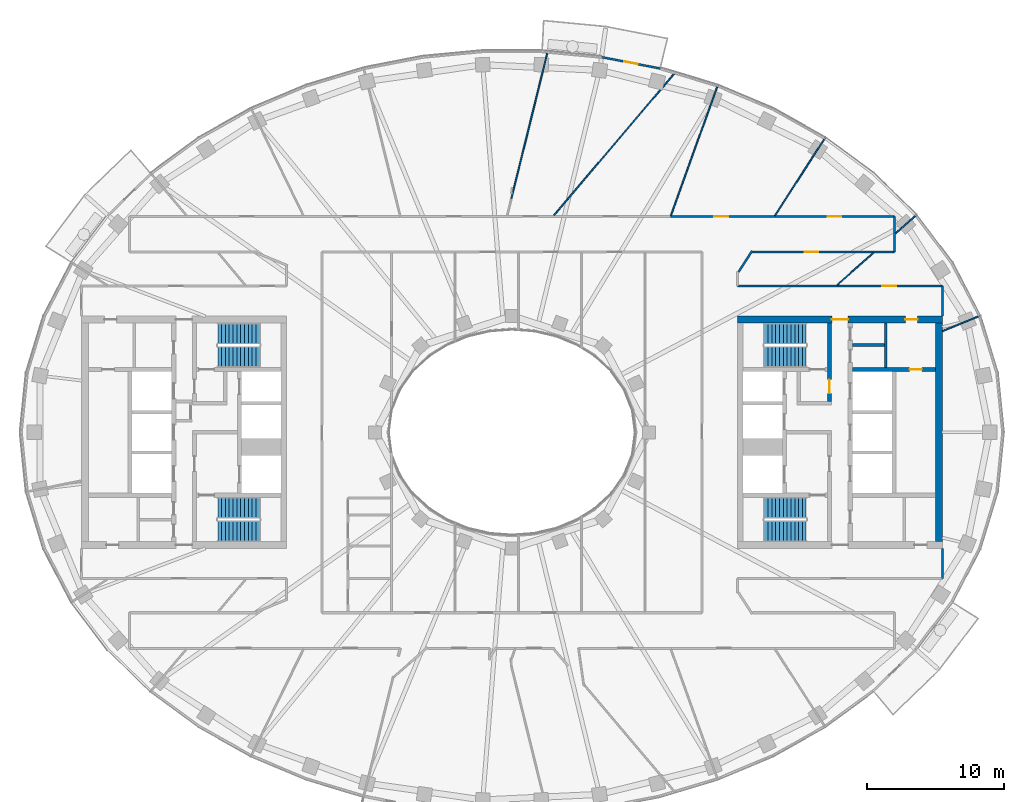
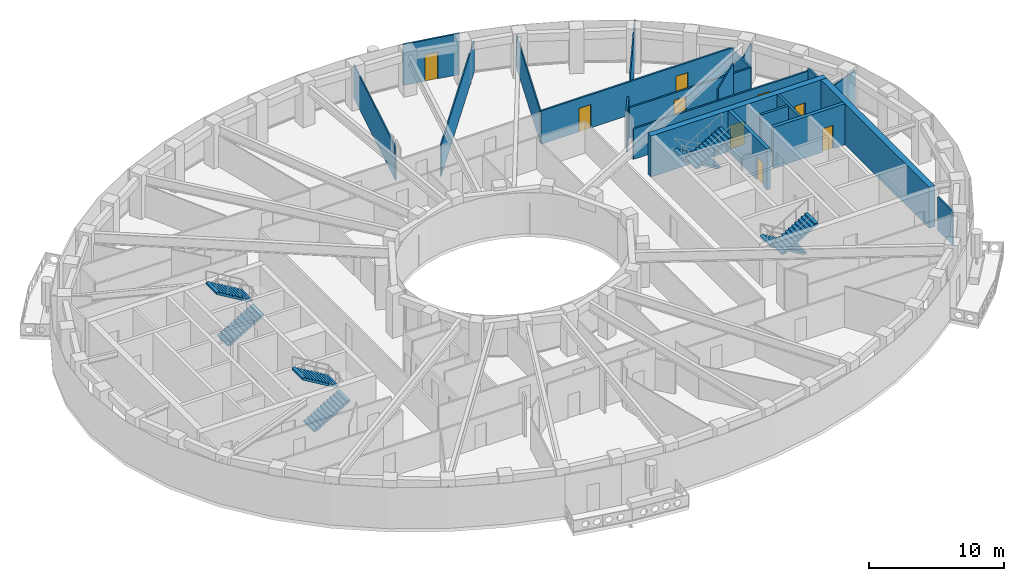
# One storey, part 7 of 16: 21 walls, 9 doors, 8 stair flights, 9 openings, 4 elements without a shape of their own.
"""IFC4 building model written with IfcOpenShell, lengths in metres."""

from ifc_helpers import new_model, si_unit, direction, frame, frame_2d, origin, place, context, subcontext, project, spatial, polyline, rectangle, outline, extrude, material, layer, layer_set, type_object, element, fill, aggregate, save


model = new_model("IFC4")

# Units and contexts
model_context = context("Model", 3, precision=1e-05, world=origin(), true_north=direction((0.0, 1.0)))
body_context = subcontext(model_context, "Body", "Model", "MODEL_VIEW")
ifc_project = project(units=[si_unit("LENGTHUNIT", "METRE"), si_unit("AREAUNIT", "SQUARE_METRE"), si_unit("VOLUMEUNIT", "CUBIC_METRE"), si_unit("PLANEANGLEUNIT", "RADIAN"), si_unit("MASSUNIT", "GRAM", prefix="KILO")], contexts=[model_context])

# Site, building, storey
site_placement = place(None, origin())
site = spatial("IfcSite", under=ifc_project, at=site_placement, CompositionType="ELEMENT")
building_placement = place(site_placement, origin())
building = spatial("IfcBuilding", under=site, at=building_placement, Name="Noorbagh Ring Tower", CompositionType="ELEMENT")
storey_placement = place(building_placement, frame((0.0, 0.0, 273.5)))
storey = spatial("IfcBuildingStorey", under=building, at=storey_placement, Name="L58", CompositionType="ELEMENT", Elevation=273.5)

# Walls
ifc_material_1 = material(Name="Gypsum board on steel studs", Category="steel")
ifc_layer_1 = layer(ifc_material_1, 0.199951171875)
ifc_layer_set_1 = layer_set([ifc_layer_1], Name="Gypsum board on steel studs")
wall_type_1 = type_object("IfcWallType", Name="CORE-PARTITION-200", PredefinedType="PARTITIONING", material=ifc_layer_set_1)
wall_1_placement = place(storey_placement, frame((27.35009765625, 4.75, 0.0), z_axis=(0.0, 0.0, 1.0), x_axis=(0.0, 1.0, 0.0)))
element("IfcWall", 1, at=wall_1_placement, inside=storey, type_object=wall_type_1, Name="Core partition E", PredefinedType="PARTITIONING", context=body_context, shape_type="SweptSolid", body=[
    extrude(rectangle(XDim=3.25, YDim=0.199951171875, at=frame_2d((1.625, 0.0))), origin(), (0.0, 0.0, 1.0), 3.699951171875),
])
wall_2_placement = place(storey_placement, frame((24.89990234375, 6.39990234375, 0.0), z_axis=(0.0, 0.0, 1.0), x_axis=(1.0, 0.0, 0.0)))
element("IfcWall", 2, at=wall_2_placement, inside=storey, type_object=wall_type_1, Name="Core partition E", PredefinedType="PARTITIONING", context=body_context, shape_type="SweptSolid", body=[
    extrude(rectangle(XDim=2.35009765625, YDim=0.199951171875, at=frame_2d((1.175048828125, 0.0))), origin(), (0.0, 0.0, 1.0), 3.699951171875),
])

# Wall, opening, door
ifc_material_2 = material(Name="Concrete C60/75", Category="concrete")
ifc_layer_2 = layer(ifc_material_2, 0.300048828125)
ifc_layer_set_2 = layer_set([ifc_layer_2], Name="Concrete C60/75")
wall_type_2 = type_object("IfcWallType", Name="CORE-WALL-300-C60-75-EI240", PredefinedType="SHEAR", material=ifc_layer_set_2)
wall_3_placement = place(storey_placement, frame((24.89990234375, 4.60009765625, 0.0), z_axis=(0.0, 0.0, 1.0), x_axis=(1.0, 0.0, 0.0)))
wall_3 = element("IfcWall", 3, at=wall_3_placement, inside=storey, type_object=wall_type_2, Name="Core wall E", PredefinedType="SHEAR", context=body_context, shape_type="SweptSolid", body=[
    extrude(rectangle(XDim=6.10009765625, YDim=0.300048828125, at=frame_2d((3.050048828125, 0.0))), origin(), (0.0, 0.0, 1.0), 3.699951171875),
])
opening_1_placement = place(wall_3_placement, frame((4.199951171875, 0.0, 0.0)))
opening_1 = element("IfcOpeningElement", 4, at=opening_1_placement, cuts=wall_3, Name="Opening L58-CE18", PredefinedType="OPENING", context=body_context, shape_type="SweptSolid", body=[
    extrude(rectangle(XDim=0.89990234375, YDim=2.10009765625, at=frame_2d((0.449951171875, 1.050048828125))), frame((0.0, 0.16015625, 0.0), z_axis=(0.0, -1.0, 0.0), x_axis=(1.0, 0.0, 0.0)), (0.0, 0.0, 1.0), 0.320068359375),
])
ifc_material_3 = material(Name="Steel door leaf", Category="steel")
door_type_1 = type_object("IfcDoorType", Name="CORE-DOOR-DROOM", OperationType="SINGLE_SWING_LEFT", PredefinedType="DOOR", material=ifc_material_3)
door_1_placement = place(opening_1_placement, origin())
door_1 = element("IfcDoor", 5, at=door_1_placement, inside=storey, type_object=door_type_1, Name="Core room door L58-CE18", OperationType="SINGLE_SWING_RIGHT", OverallHeight=2.10009765625, OverallWidth=0.89990234375, PredefinedType="DOOR", context=body_context, shape_type="SweptSolid", body=[
    extrude(rectangle(XDim=0.89990234375, YDim=2.10009765625, at=frame_2d((0.449951171875, 1.050048828125))), frame((0.0, 0.02490234375, 0.0), z_axis=(0.0, -1.0, 0.0), x_axis=(1.0, 0.0, 0.0)), (0.0, 0.0, 1.0), 0.050048828125),
])
fill(opening_1, door_1)

wall_4_placement = place(storey_placement, frame((23.22998046875, 2.25, 0.0), z_axis=(0.0, 0.0, 1.0), x_axis=(0.0, 1.0, 0.0)))
wall_4 = element("IfcWall", 6, at=wall_4_placement, inside=storey, type_object=wall_type_2, Name="Core wall E", PredefinedType="SHEAR", context=body_context, shape_type="SweptSolid", body=[
    extrude(rectangle(XDim=5.75, YDim=0.300048828125, at=frame_2d((2.875, 0.0))), origin(), (0.0, 0.0, 1.0), 3.699951171875),
])
opening_2_placement = place(wall_4_placement, frame((0.60009765625, 0.0, 0.0)))
opening_2 = element("IfcOpeningElement", 7, at=opening_2_placement, cuts=wall_4, Name="Opening L58-CE10", PredefinedType="OPENING", context=body_context, shape_type="SweptSolid", body=[
    extrude(rectangle(XDim=1.0, YDim=2.10009765625, at=frame_2d((0.5, 1.050048828125))), frame((0.0, 0.16015625, 0.0), z_axis=(0.0, -1.0, 0.0), x_axis=(1.0, 0.0, 0.0)), (0.0, 0.0, 1.0), 0.320068359375),
])
ifc_material_4 = material(Name="Steel door leaf", Category="steel")
door_type_2 = type_object("IfcDoorType", Name="CORE-DOOR-DVEST", OperationType="SINGLE_SWING_LEFT", PredefinedType="DOOR", material=ifc_material_4)
door_2_placement = place(opening_2_placement, origin())
door_2 = element("IfcDoor", 8, at=door_2_placement, inside=storey, type_object=door_type_2, Name="Stair vestibule door L58-CE10", OperationType="SINGLE_SWING_RIGHT", OverallHeight=2.10009765625, OverallWidth=1.0, PredefinedType="DOOR", context=body_context, shape_type="SweptSolid", body=[
    extrude(rectangle(XDim=1.0, YDim=2.10009765625, at=frame_2d((0.5, 1.050048828125))), frame((0.0, 0.02490234375, 0.0), z_axis=(0.0, -1.0, 0.0), x_axis=(1.0, 0.0, 0.0)), (0.0, 0.0, 1.0), 0.050048828125),
])
fill(opening_2, door_2)

# Wall, openings, doors
ifc_material_5 = material(Name="Concrete C60/75", Category="concrete")
ifc_layer_3 = layer(ifc_material_5, 0.5)
ifc_layer_set_3 = layer_set([ifc_layer_3], Name="Concrete C60/75")
wall_type_3 = type_object("IfcWallType", Name="CORE-WALL-500-C60-75-EI240", PredefinedType="SHEAR", material=ifc_layer_set_3)
wall_5_placement = place(storey_placement, frame((16.5, 8.25, 0.0), z_axis=(0.0, 0.0, 1.0), x_axis=(1.0, 0.0, 0.0)))
wall_5 = element("IfcWall", 9, at=wall_5_placement, inside=storey, type_object=wall_type_3, Name="Core wall E", PredefinedType="SHEAR", context=body_context, shape_type="SweptSolid", body=[
    extrude(rectangle(XDim=15.0, YDim=0.5, at=frame_2d((7.5, 0.0))), origin(), (0.0, 0.0, 1.0), 3.699951171875),
])
opening_3_placement = place(wall_5_placement, frame((6.89990234375, 0.0, 0.0)))
opening_3 = element("IfcOpeningElement", 10, at=opening_3_placement, cuts=wall_5, Name="Opening L58-CE11", PredefinedType="OPENING", context=body_context, shape_type="SweptSolid", body=[
    extrude(rectangle(XDim=1.199951171875, YDim=2.10009765625, at=frame_2d((0.60009765625, 1.050048828125))), frame((0.0, 0.260009765625, 0.0), z_axis=(0.0, -1.0, 0.0), x_axis=(1.0, 0.0, 0.0)), (0.0, 0.0, 1.0), 0.52001953125),
])
opening_4_placement = place(wall_5_placement, frame((12.27490234375, 0.0, 0.0)))
opening_4 = element("IfcOpeningElement", 11, at=opening_4_placement, cuts=wall_5, Name="Opening L58-CE15", PredefinedType="OPENING", context=body_context, shape_type="SweptSolid", body=[
    extrude(rectangle(XDim=0.89990234375, YDim=2.10009765625, at=frame_2d((0.449951171875, 1.050048828125))), frame((0.0, 0.260009765625, 0.0), z_axis=(0.0, -1.0, 0.0), x_axis=(1.0, 0.0, 0.0)), (0.0, 0.0, 1.0), 0.52001953125),
])
door_3_placement = place(opening_4_placement, origin())
door_3 = element("IfcDoor", 12, at=door_3_placement, inside=storey, type_object=door_type_1, Name="Core room door L58-CE15", OperationType="SINGLE_SWING_LEFT", OverallHeight=2.10009765625, OverallWidth=0.89990234375, PredefinedType="DOOR", context=body_context, shape_type="SweptSolid", body=[
    extrude(rectangle(XDim=0.89990234375, YDim=2.10009765625, at=frame_2d((0.449951171875, 1.050048828125))), frame((0.0, 0.02490234375, 0.0), z_axis=(0.0, -1.0, 0.0), x_axis=(1.0, 0.0, 0.0)), (0.0, 0.0, 1.0), 0.050048828125),
])
fill(opening_4, door_3)
ifc_material_6 = material(Name="Steel door leaf", Category="steel")
door_type_3 = type_object("IfcDoorType", Name="CORE-DOOR-PORT", OperationType="DOUBLE_DOOR_DOUBLE_SWING", PredefinedType="DOOR", material=ifc_material_6)
door_4_placement = place(opening_3_placement, origin())
door_4 = element("IfcDoor", 13, at=door_4_placement, inside=storey, type_object=door_type_3, Name="Core entrance door L58-CE11", OperationType="DOUBLE_DOOR_DOUBLE_SWING", OverallHeight=2.10009765625, OverallWidth=1.199951171875, PredefinedType="DOOR", context=body_context, shape_type="SweptSolid", body=[
    extrude(rectangle(XDim=1.199951171875, YDim=2.10009765625, at=frame_2d((0.60009765625, 1.050048828125))), frame((0.0, 0.02490234375, 0.0), z_axis=(0.0, -1.0, 0.0), x_axis=(1.0, 0.0, 0.0)), (0.0, 0.0, 1.0), 0.050048828125),
])
fill(opening_3, door_4)

# Wall
wall_6_placement = place(storey_placement, frame((31.25, -8.0, 0.0), z_axis=(0.0, 0.0, 1.0), x_axis=(0.0, 1.0, 0.0)))
element("IfcWall", 14, at=wall_6_placement, inside=storey, type_object=wall_type_3, Name="Core wall E", PredefinedType="SHEAR", context=body_context, shape_type="SweptSolid", body=[
    extrude(rectangle(XDim=16.0, YDim=0.5, at=frame_2d((8.0, 0.0))), origin(), (0.0, 0.0, 1.0), 3.699951171875),
])

# Wall, openings, doors
ifc_material_7 = material(Name="Gypsum board on steel studs", Category="steel")
ifc_layer_4 = layer(ifc_material_7, 0.14990234375)
ifc_layer_set_4 = layer_set([ifc_layer_4], Name="Gypsum board on steel studs")
wall_type_4 = type_object("IfcWallType", Name="CORRIDOR PARTITION 150 EI 30", PredefinedType="PARTITIONING", material=ifc_layer_set_4)
wall_7_placement = place(storey_placement, frame((11.614013671875, 15.800048828125, 0.0), z_axis=(0.0, 0.0, 1.0), x_axis=(1.0, 0.0, 0.0)))
wall_7 = element("IfcWall", 15, at=wall_7_placement, inside=storey, type_object=wall_type_4, Name="L58/wall/P68", PredefinedType="PARTITIONING", context=body_context, shape_type="SweptSolid", body=[
    extrude(rectangle(XDim=16.385986328125, YDim=0.14990234375, at=frame_2d((8.19287109375, 0.0))), origin(), (0.0, 0.0, 1.0), 3.0),
])
opening_5_placement = place(wall_7_placement, frame((3.193115234375, 0.0, 0.0)))
opening_5 = element("IfcOpeningElement", 16, at=opening_5_placement, cuts=wall_7, Name="Opening D1", PredefinedType="OPENING", context=body_context, shape_type="SweptSolid", body=[
    extrude(rectangle(XDim=1.0, YDim=2.10009765625, at=frame_2d((0.5, 1.050048828125))), frame((0.0, 0.0849609375, 0.0), z_axis=(0.0, -1.0, 0.0), x_axis=(1.0, 0.0, 0.0)), (0.0, 0.0, 1.0), 0.169921875),
])
opening_6_placement = place(wall_7_placement, frame((11.486083984375, 0.0, 0.0)))
opening_6 = element("IfcOpeningElement", 17, at=opening_6_placement, cuts=wall_7, Name="Opening D1", PredefinedType="OPENING", context=body_context, shape_type="SweptSolid", body=[
    extrude(rectangle(XDim=1.0, YDim=2.10009765625, at=frame_2d((0.5, 1.050048828125))), frame((0.0, 0.0849609375, 0.0), z_axis=(0.0, -1.0, 0.0), x_axis=(1.0, 0.0, 0.0)), (0.0, 0.0, 1.0), 0.169921875),
])
ifc_material_8 = material(Name="Timber, painted", Category="wood")
door_type_4 = type_object("IfcDoorType", Name="DOOR 1000 X 2100 FD30", OperationType="SINGLE_SWING_LEFT", PredefinedType="DOOR", material=ifc_material_8)
door_5_placement = place(opening_5_placement, origin())
door_5 = element("IfcDoor", 18, at=door_5_placement, inside=storey, type_object=door_type_4, Name="L58-D23", OperationType="SINGLE_SWING_LEFT", OverallHeight=2.10009765625, OverallWidth=1.0, PredefinedType="DOOR", context=body_context, shape_type="SweptSolid", body=[
    extrude(rectangle(XDim=1.0, YDim=2.10009765625, at=frame_2d((0.5, 1.050048828125))), frame((0.0, 0.02490234375, 0.0), z_axis=(0.0, -1.0, 0.0), x_axis=(1.0, 0.0, 0.0)), (0.0, 0.0, 1.0), 0.050048828125),
])
fill(opening_5, door_5)
door_6_placement = place(opening_6_placement, origin())
door_6 = element("IfcDoor", 19, at=door_6_placement, inside=storey, type_object=door_type_4, Name="L58-D26", OperationType="SINGLE_SWING_RIGHT", OverallHeight=2.10009765625, OverallWidth=1.0, PredefinedType="DOOR", context=body_context, shape_type="SweptSolid", body=[
    extrude(rectangle(XDim=1.0, YDim=2.10009765625, at=frame_2d((0.5, 1.050048828125))), frame((0.0, 0.02490234375, 0.0), z_axis=(0.0, -1.0, 0.0), x_axis=(1.0, 0.0, 0.0)), (0.0, 0.0, 1.0), 0.050048828125),
])
fill(opening_6, door_6)

# Wall, opening, door
wall_8_placement = place(storey_placement, frame((16.5, 10.699951171875, 0.0), z_axis=(0.0, 0.0, 1.0), x_axis=(1.0, 0.0, 0.0)))
wall_8 = element("IfcWall", 20, at=wall_8_placement, inside=storey, type_object=wall_type_4, Name="L58/wall/P74", PredefinedType="PARTITIONING", context=body_context, shape_type="SweptSolid", body=[
    extrude(rectangle(XDim=15.0, YDim=0.14990234375, at=frame_2d((7.5, 0.0))), origin(), (0.0, 0.0, 1.0), 2.75),
])
opening_7_placement = place(wall_8_placement, frame((10.60009765625, 0.0, 0.0)))
opening_7 = element("IfcOpeningElement", 21, at=opening_7_placement, cuts=wall_8, Name="Opening D1", PredefinedType="OPENING", context=body_context, shape_type="SweptSolid", body=[
    extrude(rectangle(XDim=1.0, YDim=2.10009765625, at=frame_2d((0.5, 1.050048828125))), frame((0.0, 0.0849609375, 0.0), z_axis=(0.0, -1.0, 0.0), x_axis=(1.0, 0.0, 0.0)), (0.0, 0.0, 1.0), 0.169921875),
])
door_7_placement = place(opening_7_placement, origin())
door_7 = element("IfcDoor", 22, at=door_7_placement, inside=storey, type_object=door_type_4, Name="L58-D27", OperationType="SINGLE_SWING_LEFT", OverallHeight=2.10009765625, OverallWidth=1.0, PredefinedType="DOOR", context=body_context, shape_type="SweptSolid", body=[
    extrude(rectangle(XDim=1.0, YDim=2.10009765625, at=frame_2d((0.5, 1.050048828125))), frame((0.0, 0.02490234375, 0.0), z_axis=(0.0, -1.0, 0.0), x_axis=(1.0, 0.0, 0.0)), (0.0, 0.0, 1.0), 0.050048828125),
])
fill(opening_7, door_7)

# Wall
wall_9_placement = place(storey_placement, frame((16.574951171875, 11.73291015625, 0.0), z_axis=(0.0, 0.0, 1.0), x_axis=(0.541860116324, 0.840468687304, 0.0)))
element("IfcWall", 23, at=wall_9_placement, inside=storey, type_object=wall_type_4, Name="L58/wall/P75", PredefinedType="PARTITIONING", context=body_context, shape_type="SweptSolid", body=[
    extrude(rectangle(XDim=1.834716796875, YDim=0.14990234375, at=frame_2d((0.91748046875, 0.0))), origin(), (0.0, 0.0, 1.0), 3.699951171875),
])

# Wall, opening, door
wall_10_placement = place(storey_placement, frame((17.610107421875, 13.199951171875, 0.0), z_axis=(0.0, 0.0, 1.0), x_axis=(1.0, 0.0, 0.0)))
wall_10 = element("IfcWall", 24, at=wall_10_placement, inside=storey, type_object=wall_type_4, Name="L58/wall/P77", PredefinedType="PARTITIONING", context=body_context, shape_type="SweptSolid", body=[
    extrude(rectangle(XDim=10.389892578125, YDim=0.14990234375, at=frame_2d((5.19482421875, 0.0))), origin(), (0.0, 0.0, 1.0), 2.75),
])
opening_8_placement = place(wall_10_placement, frame((3.81103515625, 0.0, 0.0)))
opening_8 = element("IfcOpeningElement", 25, at=opening_8_placement, cuts=wall_10, Name="Opening D1", PredefinedType="OPENING", context=body_context, shape_type="SweptSolid", body=[
    extrude(rectangle(XDim=1.0, YDim=2.10009765625, at=frame_2d((0.5, 1.050048828125))), frame((0.0, 0.0849609375, 0.0), z_axis=(0.0, -1.0, 0.0), x_axis=(1.0, 0.0, 0.0)), (0.0, 0.0, 1.0), 0.169921875),
])
door_8_placement = place(opening_8_placement, origin())
door_8 = element("IfcDoor", 26, at=door_8_placement, inside=storey, type_object=door_type_4, Name="L58-D25", OperationType="SINGLE_SWING_LEFT", OverallHeight=2.10009765625, OverallWidth=1.0, PredefinedType="DOOR", context=body_context, shape_type="SweptSolid", body=[
    extrude(rectangle(XDim=1.0, YDim=2.10009765625, at=frame_2d((0.5, 1.050048828125))), frame((0.0, 0.02490234375, 0.0), z_axis=(0.0, -1.0, 0.0), x_axis=(1.0, 0.0, 0.0)), (0.0, 0.0, 1.0), 0.050048828125),
])
fill(opening_8, door_8)

# Walls
wall_11_placement = place(storey_placement, frame((28.0, 13.199951171875, 0.0), z_axis=(0.0, 0.0, 1.0), x_axis=(0.0, 1.0, 0.0)))
element("IfcWall", 27, at=wall_11_placement, inside=storey, type_object=wall_type_4, Name="L58/wall/P82", PredefinedType="PARTITIONING", context=body_context, shape_type="SweptSolid", body=[
    extrude(rectangle(XDim=2.60009765625, YDim=0.14990234375, at=frame_2d((1.300048828125, 0.0))), origin(), (0.0, 0.0, 1.0), 2.75),
])
for number, where, z_axis, x_axis, name in (
    (28, (31.5, -10.699951171875, 0.0), (0.0, 0.0, 1.0), (0.0, 1.0, 0.0), "L58/wall/P84"),
    (29, (31.5, 8.5, 0.0), (0.0, 0.0, 1.0), (0.0, 1.0, 0.0), "L58/wall/P86"),
):
    element("IfcWall", number, at=place(storey_placement, frame(where, z_axis=z_axis, x_axis=x_axis)), inside=storey, type_object=wall_type_4, Name=name, PredefinedType="PARTITIONING", context=body_context, shape_type="SweptSolid", body=[
        extrude(rectangle(XDim=2.199951171875, YDim=0.14990234375, at=frame_2d((1.10009765625, 0.0))), origin(), (0.0, 0.0, 1.0), 3.0),
    ])

# Wall, opening, door
ifc_material_9 = material(Name="Insulated aluminium clad panel", Category="aluminium")
ifc_layer_5 = layer(ifc_material_9, 0.14990234375)
ifc_layer_set_5 = layer_set([ifc_layer_5], Name="Insulated aluminium clad panel")
wall_type_5 = type_object("IfcWallType", Name="ENV-WALL-DOOR", PredefinedType="STANDARD", material=ifc_layer_set_5)
wall_12_placement = place(storey_placement, frame((10.87060546875, 26.616943359375, 0.0), z_axis=(0.0, 0.0, 1.0), x_axis=(-0.981631174778, 0.190788460615, 0.0)))
wall_12 = element("IfcWall", 30, at=wall_12_placement, inside=storey, type_object=wall_type_5, Name="Balcony door wall chord 10", PredefinedType="STANDARD", context=body_context, shape_type="SweptSolid", body=[
    extrude(rectangle(XDim=4.42626953125, YDim=0.14990234375, at=frame_2d((2.213134765625, 0.0))), origin(), (0.0, 0.0, 1.0), 3.699951171875),
])
opening_9_placement = place(wall_12_placement, frame((1.713134765625, 0.0, 0.0)))
opening_9 = element("IfcOpeningElement", 31, at=opening_9_placement, cuts=wall_12, Name="Opening D-BL", PredefinedType="OPENING", context=body_context, shape_type="SweptSolid", body=[
    extrude(rectangle(XDim=1.0, YDim=2.39990234375, at=frame_2d((0.5, 1.199951171875))), frame((0.0, 0.0849609375, 0.0), z_axis=(0.0, -1.0, 0.0), x_axis=(1.0, 0.0, 0.0)), (0.0, 0.0, 1.0), 0.169921875),
])
ifc_material_10 = material(Name="Aluminium and glass", Category="aluminium")
door_type_5 = type_object("IfcDoorType", Name="ENV-DOOR-BALCONY", OperationType="SINGLE_SWING_LEFT", PredefinedType="DOOR", material=ifc_material_10)
door_9_placement = place(opening_9_placement, origin())
door_9 = element("IfcDoor", 32, at=door_9_placement, inside=storey, type_object=door_type_5, Name="Balcony door chord 10", OperationType="SINGLE_SWING_LEFT", OverallHeight=2.39990234375, OverallWidth=1.0, PredefinedType="DOOR", context=body_context, shape_type="SweptSolid", body=[
    extrude(rectangle(XDim=1.0, YDim=2.39990234375, at=frame_2d((0.5, 1.199951171875))), frame((0.0, 0.02490234375, 0.0), z_axis=(0.0, -1.0, 0.0), x_axis=(1.0, 0.0, 0.0)), (0.0, 0.0, 1.0), 0.050048828125),
])
fill(opening_9, door_9)

# Walls
ifc_material_11 = material(Name="Gypsum board on steel studs", Category="steel")
ifc_layer_6 = layer(ifc_material_11, 0.10009765625)
ifc_layer_set_6 = layer_set([ifc_layer_6], Name="Gypsum board on steel studs")
wall_type_6 = type_object("IfcWallType", Name="PARTITION 100 GYPSUM", PredefinedType="PARTITIONING", material=ifc_layer_set_6)
wall_13_placement = place(storey_placement, frame((-0.049072265625, 17.096923828125, 0.0), z_axis=(0.0, 0.0, 1.0), x_axis=(0.239793112589, 0.970824012453, 0.0)))
element("IfcWall", 33, at=wall_13_placement, inside=storey, type_object=wall_type_6, Name="L58/wall/P52", PredefinedType="PARTITIONING", context=body_context, shape_type="SweptSolid", body=[
    extrude(rectangle(XDim=11.08447265625, YDim=0.10009765625, at=frame_2d((5.542236328125, 0.0))), origin(), (0.0, 0.0, 1.0), 3.0),
])
wall_14_placement = place(storey_placement, frame((3.074951171875, 15.8779296875, 0.0), z_axis=(0.0, 0.0, 1.0), x_axis=(0.64645132614, 0.762955229966, 0.0)))
element("IfcWall", 34, at=wall_14_placement, inside=storey, type_object=wall_type_6, Name="L58/wall/P58", PredefinedType="PARTITIONING", context=body_context, shape_type="SweptSolid", body=[
    extrude(rectangle(XDim=13.690185546875, YDim=0.10009765625, at=frame_2d((6.84521484375, 0.0))), origin(), (0.0, 0.0, 1.0), 2.85009765625),
])
wall_15_placement = place(storey_placement, frame((11.62890625, 15.875, 0.0), z_axis=(0.0, 0.0, 1.0), x_axis=(0.338394316696, 0.94100440298, 0.0)))
element("IfcWall", 35, at=wall_15_placement, inside=storey, type_object=wall_type_6, Name="L58/wall/P66", PredefinedType="PARTITIONING", context=body_context, shape_type="SweptSolid", body=[
    extrude(rectangle(XDim=10.104248046875, YDim=0.10009765625, at=frame_2d((5.05224609375, 0.0))), origin(), (0.0, 0.0, 1.0), 2.85009765625),
])
wall_16_placement = place(storey_placement, frame((19.248046875, 15.875, 0.0), z_axis=(0.0, 0.0, 1.0), x_axis=(0.542216737844, 0.840238662049, 0.0)))
element("IfcWall", 36, at=wall_16_placement, inside=storey, type_object=wall_type_6, Name="L58/wall/P79", PredefinedType="PARTITIONING", context=body_context, shape_type="SweptSolid", body=[
    extrude(rectangle(XDim=6.744384765625, YDim=0.10009765625, at=frame_2d((3.3720703125, 0.0))), origin(), (0.0, 0.0, 1.0), 3.699951171875),
])
wall_17_placement = place(storey_placement, frame((23.784912109375, 10.778076171875, 0.0), z_axis=(0.0, 0.0, 1.0), x_axis=(0.749047927355, 0.662515813038, 0.0)))
element("IfcWall", 37, at=wall_17_placement, inside=storey, type_object=wall_type_6, Name="L58/wall/P80", PredefinedType="PARTITIONING", context=body_context, shape_type="SweptSolid", body=[
    extrude(rectangle(XDim=3.5380859375, YDim=0.10009765625, at=frame_2d((1.76904296875, 0.0))), origin(), (0.0, 0.0, 1.0), 3.699951171875),
])
wall_18_placement = place(storey_placement, frame((28.074951171875, 14.572021484375, 0.0), z_axis=(0.0, 0.0, 1.0), x_axis=(0.748683588402, 0.662927510711, 0.0)))
element("IfcWall", 38, at=wall_18_placement, inside=storey, type_object=wall_type_6, Name="L58/wall/P83", PredefinedType="PARTITIONING", context=body_context, shape_type="SweptSolid", body=[
    extrude(rectangle(XDim=1.99560546875, YDim=0.10009765625, at=frame_2d((0.997802734375, 0.0))), origin(), (0.0, 0.0, 1.0), 2.75),
])
wall_19_placement = place(storey_placement, frame((31.5, 7.409912109375, 0.0), z_axis=(0.0, 0.0, 1.0), x_axis=(0.925344112436, 0.379128307542, 0.0)))
element("IfcWall", 39, at=wall_19_placement, inside=storey, type_object=wall_type_6, Name="L58/wall/P85", PredefinedType="PARTITIONING", context=body_context, shape_type="SweptSolid", body=[
    extrude(rectangle(XDim=2.954345703125, YDim=0.10009765625, at=frame_2d((1.47705078125, 0.0))), origin(), (0.0, 0.0, 1.0), 3.199951171875),
])

# Stair, stair flights
ifc_material_12 = material(Name="Concrete C40/50", Category="concrete")
stair_type = type_object("IfcStairType", Name="CORE-STAIR", PredefinedType="HALF_TURN_STAIR", material=ifc_material_12)
stair_1_placement = place(storey_placement, origin())
stair_1 = element("IfcStair", 40, at=stair_1_placement, inside=storey, type_object=stair_type, Name="L58 Exit stair ST1", PredefinedType="HALF_TURN_STAIR")
ifc_material_13 = material(Name="Concrete C40/50", Category="concrete")
stair_flight_type = type_object("IfcStairFlightType", Name="CORE-STAIR-FLIGHT", PredefinedType="STRAIGHT", material=ifc_material_13)
stair_flight_1_placement = place(storey_placement, frame((-21.530029296875, 5.52490234375, 0.0), z_axis=(0.0, 0.0, 1.0), x_axis=(1.0, 0.0, 0.0)))
stair_flight_1 = element("IfcStairFlight", 41, at=stair_flight_1_placement, type_object=stair_flight_type, Name="ST1 flight 1", NumberOfRisers=12, NumberOfTreads=11, PredefinedType="STRAIGHT", RiserHeight=0.166666667, TreadLength=0.28, context=body_context, shape_type="SweptSolid", body=[
    extrude(outline(polyline([(0.0, 0.0), (0.0, 0.166748046875), (0.280029296875, 0.166748046875), (0.280029296875, 0.333251953125), (0.56005859375, 0.333251953125), (0.56005859375, 0.5), (0.840087890625, 0.5), (0.840087890625, 0.666748046875), (1.1201171875, 0.666748046875), (1.1201171875, 0.833251953125), (1.39990234375, 0.833251953125), (1.39990234375, 1.0), (1.679931640625, 1.0), (1.679931640625, 1.166748046875), (1.9599609375, 1.166748046875), (1.9599609375, 1.333251953125), (2.239990234375, 1.333251953125), (2.239990234375, 1.5), (2.52001953125, 1.5), (2.52001953125, 1.666748046875), (2.800048828125, 1.666748046875), (2.800048828125, 1.833251953125), (3.080078125, 1.833251953125), (3.080078125, 2.0), (3.080078125, 1.658935546875), (0.29296875, 0.0), (0.0, 0.0)])), frame((0.0, 0.77490234375, 0.0), z_axis=(0.0, -1.0, 0.0), x_axis=(1.0, 0.0, 0.0)), (0.0, 0.0, 1.0), 1.550048828125),
])
stair_flight_2_placement = place(storey_placement, frame((-18.449951171875, 7.22509765625, 2.0), z_axis=(0.0, 0.0, 1.0), x_axis=(-1.0, 0.0, 0.0)))
stair_flight_2 = element("IfcStairFlight", 42, at=stair_flight_2_placement, type_object=stair_flight_type, Name="ST1 flight 2", NumberOfRisers=12, NumberOfTreads=11, PredefinedType="STRAIGHT", RiserHeight=0.166666667, TreadLength=0.28, context=body_context, shape_type="SweptSolid", body=[
    extrude(outline(polyline([(0.0, 0.0), (0.0, 0.166748046875), (0.280029296875, 0.166748046875), (0.280029296875, 0.333251953125), (0.56005859375, 0.333251953125), (0.56005859375, 0.5), (0.840087890625, 0.5), (0.840087890625, 0.666748046875), (1.1201171875, 0.666748046875), (1.1201171875, 0.833251953125), (1.39990234375, 0.833251953125), (1.39990234375, 1.0), (1.679931640625, 1.0), (1.679931640625, 1.166748046875), (1.9599609375, 1.166748046875), (1.9599609375, 1.333251953125), (2.239990234375, 1.333251953125), (2.239990234375, 1.5), (2.52001953125, 1.5), (2.52001953125, 1.666748046875), (2.800048828125, 1.666748046875), (2.800048828125, 1.833251953125), (3.080078125, 1.833251953125), (3.080078125, 2.0), (3.080078125, 1.658935546875), (0.29296875, 0.0), (0.0, 0.0)])), frame((0.0, 0.77490234375, 0.0), z_axis=(0.0, -1.0, 0.0), x_axis=(1.0, 0.0, 0.0)), (0.0, 0.0, 1.0), 1.550048828125),
])
aggregate(stair_1, [stair_flight_1, stair_flight_2])

stair_2_placement = place(storey_placement, origin())
stair_2 = element("IfcStair", 43, at=stair_2_placement, inside=storey, type_object=stair_type, Name="L58 Exit stair ST2", PredefinedType="HALF_TURN_STAIR")
stair_flight_3_placement = place(storey_placement, frame((-21.530029296875, -7.22509765625, 0.0), z_axis=(0.0, 0.0, 1.0), x_axis=(1.0, 0.0, 0.0)))
stair_flight_3 = element("IfcStairFlight", 44, at=stair_flight_3_placement, type_object=stair_flight_type, Name="ST2 flight 1", NumberOfRisers=12, NumberOfTreads=11, PredefinedType="STRAIGHT", RiserHeight=0.166666667, TreadLength=0.28, context=body_context, shape_type="SweptSolid", body=[
    extrude(outline(polyline([(0.0, 0.0), (0.0, 0.166748046875), (0.280029296875, 0.166748046875), (0.280029296875, 0.333251953125), (0.56005859375, 0.333251953125), (0.56005859375, 0.5), (0.840087890625, 0.5), (0.840087890625, 0.666748046875), (1.1201171875, 0.666748046875), (1.1201171875, 0.833251953125), (1.39990234375, 0.833251953125), (1.39990234375, 1.0), (1.679931640625, 1.0), (1.679931640625, 1.166748046875), (1.9599609375, 1.166748046875), (1.9599609375, 1.333251953125), (2.239990234375, 1.333251953125), (2.239990234375, 1.5), (2.52001953125, 1.5), (2.52001953125, 1.666748046875), (2.800048828125, 1.666748046875), (2.800048828125, 1.833251953125), (3.080078125, 1.833251953125), (3.080078125, 2.0), (3.080078125, 1.658935546875), (0.29296875, 0.0), (0.0, 0.0)])), frame((0.0, 0.77490234375, 0.0), z_axis=(0.0, -1.0, 0.0), x_axis=(1.0, 0.0, 0.0)), (0.0, 0.0, 1.0), 1.550048828125),
])
stair_flight_4_placement = place(storey_placement, frame((-18.449951171875, -5.52490234375, 2.0), z_axis=(0.0, 0.0, 1.0), x_axis=(-1.0, 0.0, 0.0)))
stair_flight_4 = element("IfcStairFlight", 45, at=stair_flight_4_placement, type_object=stair_flight_type, Name="ST2 flight 2", NumberOfRisers=12, NumberOfTreads=11, PredefinedType="STRAIGHT", RiserHeight=0.166666667, TreadLength=0.28, context=body_context, shape_type="SweptSolid", body=[
    extrude(outline(polyline([(0.0, 0.0), (0.0, 0.166748046875), (0.280029296875, 0.166748046875), (0.280029296875, 0.333251953125), (0.56005859375, 0.333251953125), (0.56005859375, 0.5), (0.840087890625, 0.5), (0.840087890625, 0.666748046875), (1.1201171875, 0.666748046875), (1.1201171875, 0.833251953125), (1.39990234375, 0.833251953125), (1.39990234375, 1.0), (1.679931640625, 1.0), (1.679931640625, 1.166748046875), (1.9599609375, 1.166748046875), (1.9599609375, 1.333251953125), (2.239990234375, 1.333251953125), (2.239990234375, 1.5), (2.52001953125, 1.5), (2.52001953125, 1.666748046875), (2.800048828125, 1.666748046875), (2.800048828125, 1.833251953125), (3.080078125, 1.833251953125), (3.080078125, 2.0), (3.080078125, 1.658935546875), (0.29296875, 0.0), (0.0, 0.0)])), frame((0.0, 0.77490234375, 0.0), z_axis=(0.0, -1.0, 0.0), x_axis=(1.0, 0.0, 0.0)), (0.0, 0.0, 1.0), 1.550048828125),
])
aggregate(stair_2, [stair_flight_3, stair_flight_4])

stair_3_placement = place(storey_placement, origin())
stair_3 = element("IfcStair", 46, at=stair_3_placement, inside=storey, type_object=stair_type, Name="L58 Exit stair ST3", PredefinedType="HALF_TURN_STAIR")
stair_flight_5_placement = place(storey_placement, frame((21.530029296875, 7.22509765625, 0.0), z_axis=(0.0, 0.0, 1.0), x_axis=(-1.0, 0.0, 0.0)))
stair_flight_5 = element("IfcStairFlight", 47, at=stair_flight_5_placement, type_object=stair_flight_type, Name="ST3 flight 1", NumberOfRisers=12, NumberOfTreads=11, PredefinedType="STRAIGHT", RiserHeight=0.166666667, TreadLength=0.28, context=body_context, shape_type="SweptSolid", body=[
    extrude(outline(polyline([(0.0, 0.0), (0.0, 0.166748046875), (0.280029296875, 0.166748046875), (0.280029296875, 0.333251953125), (0.56005859375, 0.333251953125), (0.56005859375, 0.5), (0.840087890625, 0.5), (0.840087890625, 0.666748046875), (1.1201171875, 0.666748046875), (1.1201171875, 0.833251953125), (1.39990234375, 0.833251953125), (1.39990234375, 1.0), (1.679931640625, 1.0), (1.679931640625, 1.166748046875), (1.9599609375, 1.166748046875), (1.9599609375, 1.333251953125), (2.239990234375, 1.333251953125), (2.239990234375, 1.5), (2.52001953125, 1.5), (2.52001953125, 1.666748046875), (2.800048828125, 1.666748046875), (2.800048828125, 1.833251953125), (3.080078125, 1.833251953125), (3.080078125, 2.0), (3.080078125, 1.658935546875), (0.29296875, 0.0), (0.0, 0.0)])), frame((0.0, 0.77490234375, 0.0), z_axis=(0.0, -1.0, 0.0), x_axis=(1.0, 0.0, 0.0)), (0.0, 0.0, 1.0), 1.550048828125),
])
stair_flight_6_placement = place(storey_placement, frame((18.449951171875, 5.52490234375, 2.0), z_axis=(0.0, 0.0, 1.0), x_axis=(1.0, 0.0, 0.0)))
stair_flight_6 = element("IfcStairFlight", 48, at=stair_flight_6_placement, type_object=stair_flight_type, Name="ST3 flight 2", NumberOfRisers=12, NumberOfTreads=11, PredefinedType="STRAIGHT", RiserHeight=0.166666667, TreadLength=0.28, context=body_context, shape_type="SweptSolid", body=[
    extrude(outline(polyline([(0.0, 0.0), (0.0, 0.166748046875), (0.280029296875, 0.166748046875), (0.280029296875, 0.333251953125), (0.56005859375, 0.333251953125), (0.56005859375, 0.5), (0.840087890625, 0.5), (0.840087890625, 0.666748046875), (1.1201171875, 0.666748046875), (1.1201171875, 0.833251953125), (1.39990234375, 0.833251953125), (1.39990234375, 1.0), (1.679931640625, 1.0), (1.679931640625, 1.166748046875), (1.9599609375, 1.166748046875), (1.9599609375, 1.333251953125), (2.239990234375, 1.333251953125), (2.239990234375, 1.5), (2.52001953125, 1.5), (2.52001953125, 1.666748046875), (2.800048828125, 1.666748046875), (2.800048828125, 1.833251953125), (3.080078125, 1.833251953125), (3.080078125, 2.0), (3.080078125, 1.658935546875), (0.29296875, 0.0), (0.0, 0.0)])), frame((0.0, 0.77490234375, 0.0), z_axis=(0.0, -1.0, 0.0), x_axis=(1.0, 0.0, 0.0)), (0.0, 0.0, 1.0), 1.550048828125),
])
aggregate(stair_3, [stair_flight_5, stair_flight_6])

stair_4_placement = place(storey_placement, origin())
stair_4 = element("IfcStair", 49, at=stair_4_placement, inside=storey, type_object=stair_type, Name="L58 Exit stair ST4", PredefinedType="HALF_TURN_STAIR")
stair_flight_7_placement = place(storey_placement, frame((21.530029296875, -5.52490234375, 0.0), z_axis=(0.0, 0.0, 1.0), x_axis=(-1.0, 0.0, 0.0)))
stair_flight_7 = element("IfcStairFlight", 50, at=stair_flight_7_placement, type_object=stair_flight_type, Name="ST4 flight 1", NumberOfRisers=12, NumberOfTreads=11, PredefinedType="STRAIGHT", RiserHeight=0.166666667, TreadLength=0.28, context=body_context, shape_type="SweptSolid", body=[
    extrude(outline(polyline([(0.0, 0.0), (0.0, 0.166748046875), (0.280029296875, 0.166748046875), (0.280029296875, 0.333251953125), (0.56005859375, 0.333251953125), (0.56005859375, 0.5), (0.840087890625, 0.5), (0.840087890625, 0.666748046875), (1.1201171875, 0.666748046875), (1.1201171875, 0.833251953125), (1.39990234375, 0.833251953125), (1.39990234375, 1.0), (1.679931640625, 1.0), (1.679931640625, 1.166748046875), (1.9599609375, 1.166748046875), (1.9599609375, 1.333251953125), (2.239990234375, 1.333251953125), (2.239990234375, 1.5), (2.52001953125, 1.5), (2.52001953125, 1.666748046875), (2.800048828125, 1.666748046875), (2.800048828125, 1.833251953125), (3.080078125, 1.833251953125), (3.080078125, 2.0), (3.080078125, 1.658935546875), (0.29296875, 0.0), (0.0, 0.0)])), frame((0.0, 0.77490234375, 0.0), z_axis=(0.0, -1.0, 0.0), x_axis=(1.0, 0.0, 0.0)), (0.0, 0.0, 1.0), 1.550048828125),
])
stair_flight_8_placement = place(storey_placement, frame((18.449951171875, -7.22509765625, 2.0), z_axis=(0.0, 0.0, 1.0), x_axis=(1.0, 0.0, 0.0)))
stair_flight_8 = element("IfcStairFlight", 51, at=stair_flight_8_placement, type_object=stair_flight_type, Name="ST4 flight 2", NumberOfRisers=12, NumberOfTreads=11, PredefinedType="STRAIGHT", RiserHeight=0.166666667, TreadLength=0.28, context=body_context, shape_type="SweptSolid", body=[
    extrude(outline(polyline([(0.0, 0.0), (0.0, 0.166748046875), (0.280029296875, 0.166748046875), (0.280029296875, 0.333251953125), (0.56005859375, 0.333251953125), (0.56005859375, 0.5), (0.840087890625, 0.5), (0.840087890625, 0.666748046875), (1.1201171875, 0.666748046875), (1.1201171875, 0.833251953125), (1.39990234375, 0.833251953125), (1.39990234375, 1.0), (1.679931640625, 1.0), (1.679931640625, 1.166748046875), (1.9599609375, 1.166748046875), (1.9599609375, 1.333251953125), (2.239990234375, 1.333251953125), (2.239990234375, 1.5), (2.52001953125, 1.5), (2.52001953125, 1.666748046875), (2.800048828125, 1.666748046875), (2.800048828125, 1.833251953125), (3.080078125, 1.833251953125), (3.080078125, 2.0), (3.080078125, 1.658935546875), (0.29296875, 0.0), (0.0, 0.0)])), frame((0.0, 0.77490234375, 0.0), z_axis=(0.0, -1.0, 0.0), x_axis=(1.0, 0.0, 0.0)), (0.0, 0.0, 1.0), 1.550048828125),
])
aggregate(stair_4, [stair_flight_7, stair_flight_8])

save(model, "model.ifc")
